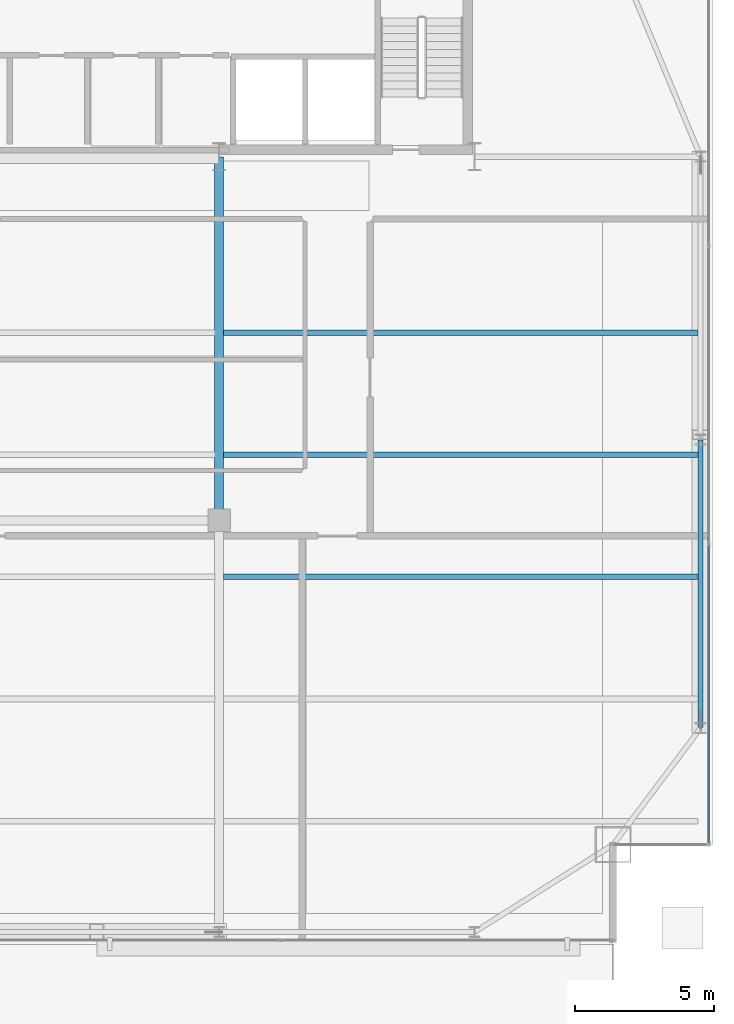
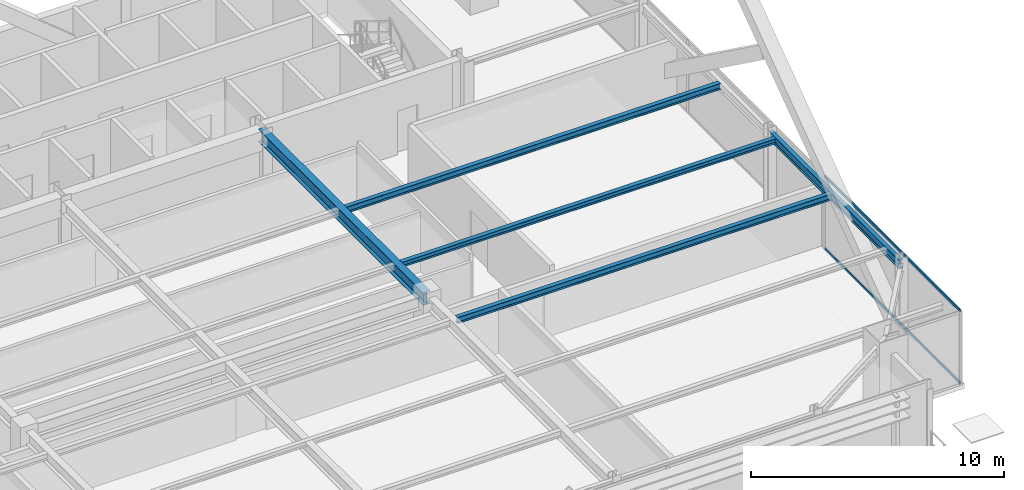
# One storey, part 16 of 33: 5 beams, 2 members, 1 element without a shape of its own.
"""IFC4 building model written with IfcOpenShell, lengths in metres."""

from ifc_helpers import new_model, si_unit, direction, frame, origin, origin_2d, place, context, subcontext, project, spatial, hollow_rectangle, i_section, extrude, source, transform, mapped, material, layer, layer_set, material_profile, profile_set, type_object, type_shapes, element, aggregate, save


model = new_model("IFC4")

# Units and contexts
model_context = context("Model", 3, precision=1e-05, world=origin(), true_north=direction((0.0, 1.0)))
body_context = subcontext(model_context, "Body", "Model", "MODEL_VIEW")
ifc_project = project(units=[si_unit("LENGTHUNIT", "METRE"), si_unit("AREAUNIT", "SQUARE_METRE"), si_unit("VOLUMEUNIT", "CUBIC_METRE"), si_unit("PLANEANGLEUNIT", "RADIAN"), si_unit("MASSUNIT", "GRAM", prefix="KILO")], contexts=[model_context])

# Site, building, storey
site_placement = place(None, origin())
site = spatial("IfcSite", under=ifc_project, at=site_placement, CompositionType="ELEMENT")
building_placement = place(site_placement, origin())
building = spatial("IfcBuilding", under=site, at=building_placement, Name="Varnel Quay Broadcast Tower", CompositionType="ELEMENT")
storey_placement = place(building_placement, frame((0.0, 0.0, 145.800048828125)))
storey = spatial("IfcBuildingStorey", under=building, at=storey_placement, Name="L35", CompositionType="ELEMENT", Elevation=145.800048828125)

# Beams
ifc_material_1 = material(Name="Structural Steel CSA G40.21 350W", Category="steel")
ifc_material_profile_1 = material_profile(ifc_material_1, i_section(OverallWidth=0.180908203125, OverallDepth=0.4169921875, WebThickness=0.010986328125, FlangeThickness=0.018310546875, FilletRadius=0.011962890625, at=origin_2d()), Name="W410X85")
ifc_profile_set_1 = profile_set([ifc_material_profile_1], Name="Structural Steel CSA G40.21 350W")
beam_type_1 = type_object("IfcBeamType", Name="Beam_W410X85", PredefinedType="SPANDREL", material=ifc_profile_set_1)
shared_shape_1 = source(origin(), body_context, "Body", "SweptSolid", [
    extrude(i_section(OverallWidth=0.180908203125, OverallDepth=0.4169921875, WebThickness=0.010986328125, FlangeThickness=0.018310546875, FilletRadius=0.011962890625, at=origin_2d()), origin(), (0.0, 0.0, 1.0), 10.35986328125),
])
type_shapes(beam_type_1, [shared_shape_1])
beam_1_placement = place(storey_placement, frame((60.550048828125, 15.02001953125, 3.341552734375), z_axis=(0.0, 1.0, 0.0), x_axis=(-1.0, 0.0, 0.0)))
element("IfcBeam", 1, at=beam_1_placement, inside=storey, type_object=beam_type_1, Name="L35 East Spandrel TC-E1-TC-E2", PredefinedType="SPANDREL", context=body_context, shape_type="MappedRepresentation", body=[
    mapped(shared_shape_1, transform((0.0, 0.0, 0.0), x_axis=(1.0, 0.0, 0.0), y_axis=(0.0, 1.0, 0.0), z_axis=(0.0, 0.0, 1.0), scale=1.0)),
])
ifc_material_profile_2 = material_profile(ifc_material_1, i_section(OverallWidth=0.324951171875, OverallDepth=0.615966796875, WebThickness=0.013916015625, FlangeThickness=0.021484375, FilletRadius=0.01611328125, at=origin_2d()), Name="W610X174")
ifc_profile_set_2 = profile_set([ifc_material_profile_2], Name="Structural Steel CSA G40.21 350W")
beam_type_2 = type_object("IfcBeamType", Name="Girder_W610X174", PredefinedType="BEAM", material=ifc_profile_set_2)
shared_shape_2 = source(origin(), body_context, "Body", "SweptSolid", [
    extrude(i_section(OverallWidth=0.324951171875, OverallDepth=0.615966796875, WebThickness=0.013916015625, FlangeThickness=0.021484375, FilletRadius=0.01611328125, at=origin_2d()), origin(), (0.0, 0.0, 1.0), 13.070068359375),
])
type_shapes(beam_type_2, [shared_shape_2])
beam_2_placement = place(storey_placement, frame((43.199951171875, 22.510009765625, 3.241943359375), z_axis=(0.0, 1.0, 0.0), x_axis=(-1.0, 0.0, 0.0)))
element("IfcBeam", 2, at=beam_2_placement, inside=storey, type_object=beam_type_2, Name="L35 Primary Girder IC-02-CC-S4", PredefinedType="BEAM", context=body_context, shape_type="MappedRepresentation", body=[
    mapped(shared_shape_2, transform((0.0, 0.0, 0.0), x_axis=(1.0, 0.0, 0.0), y_axis=(0.0, 1.0, 0.0), z_axis=(0.0, 0.0, 1.0), scale=1.0)),
])
ifc_material_profile_3 = material_profile(ifc_material_1, i_section(OverallWidth=0.202880859375, OverallDepth=0.302978515625, WebThickness=0.007568359375, FlangeThickness=0.01318359375, FilletRadius=0.011962890625, at=origin_2d()), Name="W310X60")
ifc_profile_set_3 = profile_set([ifc_material_profile_3], Name="Structural Steel CSA G40.21 350W")
beam_type_3 = type_object("IfcBeamType", Name="Beam_W310X60", PredefinedType="JOIST", material=ifc_profile_set_3)
shared_shape_3 = source(origin(), body_context, "Body", "SweptSolid", [
    extrude(i_section(OverallWidth=0.202880859375, OverallDepth=0.302978515625, WebThickness=0.007568359375, FlangeThickness=0.01318359375, FilletRadius=0.011962890625, at=origin_2d()), origin(), (0.0, 0.0, 1.0), 17.107177734375),
])
type_shapes(beam_type_3, [shared_shape_3])
for number, where, z_axis, x_axis, name in (
    (3, (43.357421875, 20.449951171875, 3.3984375), (1.0, 0.0, 0.0), (0.0, 1.0, 0.0), "L35 East Floor Joist 3"),
    (4, (43.357421875, 29.25, 3.3984375), (1.0, 0.0, 0.0), (0.0, 1.0, 0.0), "L35 East Floor Joist 5"),
):
    element("IfcBeam", number, at=place(storey_placement, frame(where, z_axis=z_axis, x_axis=x_axis)), inside=storey, type_object=beam_type_3, Name=name, PredefinedType="JOIST", context=body_context, shape_type="MappedRepresentation", body=[
        mapped(shared_shape_3, transform((0.0, 0.0, 0.0), x_axis=(1.0, 0.0, 0.0), y_axis=(0.0, 1.0, 0.0), z_axis=(0.0, 0.0, 1.0), scale=1.0)),
    ])
ifc_material_profile_4 = material_profile(ifc_material_1, i_section(OverallWidth=0.201904296875, OverallDepth=0.2470703125, WebThickness=0.00732421875, FlangeThickness=0.010986328125, FilletRadius=0.010986328125, at=origin_2d()), Name="W250X49")
ifc_profile_set_4 = profile_set([ifc_material_profile_4], Name="Structural Steel CSA G40.21 350W")
beam_type_4 = type_object("IfcBeamType", Name="Beam_W250X49", PredefinedType="JOIST", material=ifc_profile_set_4)
shared_shape_4 = source(origin(), body_context, "Body", "SweptSolid", [
    extrude(i_section(OverallWidth=0.201904296875, OverallDepth=0.2470703125, WebThickness=0.00732421875, FlangeThickness=0.010986328125, FilletRadius=0.010986328125, at=origin_2d()), origin(), (0.0, 0.0, 1.0), 17.107177734375),
])
type_shapes(beam_type_4, [shared_shape_4])
beam_3_placement = place(storey_placement, frame((43.357421875, 24.85009765625, 3.426513671875), z_axis=(1.0, 0.0, 0.0), x_axis=(0.0, 1.0, 0.0)))
element("IfcBeam", 5, at=beam_3_placement, inside=storey, type_object=beam_type_4, Name="L35 East Floor Joist 4", PredefinedType="JOIST", context=body_context, shape_type="MappedRepresentation", body=[
    mapped(shared_shape_4, transform((0.0, 0.0, 0.0), x_axis=(1.0, 0.0, 0.0), y_axis=(0.0, 1.0, 0.0), z_axis=(0.0, 0.0, 1.0), scale=1.0)),
])

# Curtain wall, members
ifc_material_2 = material(Name="Anodised Bronze Aluminium 6063-T6", Category="aluminium")
ifc_layer = layer(ifc_material_2, 0.18994140625, Name="Anodised Bronze Aluminium 6063-T6")
ifc_layer_set = layer_set([ifc_layer], Name="Anodised Bronze Aluminium 6063-T6")
curtain_wall_type = type_object("IfcCurtainWallType", Name="CW_UpperTower", PredefinedType="NOTDEFINED", material=ifc_layer_set)
curtain_wall_placement = place(storey_placement, origin())
curtain_wall = element("IfcCurtainWall", 6, at=curtain_wall_placement, inside=storey, type_object=curtain_wall_type, Name="L35 East Unitised Curtain Wall", PredefinedType="NOTDEFINED")
ifc_material_profile_5 = material_profile(ifc_material_2, hollow_rectangle(XDim=0.06005859375, YDim=0.125, WallThickness=0.0029296875, at=origin_2d()), Name="ALU60X125X3")
ifc_profile_set_5 = profile_set([ifc_material_profile_5], Name="Anodised Bronze Aluminium 6063-T6")
member_type = type_object("IfcMemberType", Name="Tran_CWS-03", PredefinedType="USERDEFINED", material=ifc_profile_set_5)
shared_shape_5 = source(origin(), body_context, "Body", "SweptSolid", [
    extrude(hollow_rectangle(XDim=0.06005859375, YDim=0.125, WallThickness=0.0029296875, at=origin_2d()), origin(), (0.0, 0.0, 1.0), 10.702392578125),
])
type_shapes(member_type, [shared_shape_5])
member_1_placement = place(storey_placement, frame((60.85009765625, 10.864990234375, 0.030029296875), z_axis=(0.0, 1.0, 0.0), x_axis=(-1.0, 0.0, 0.0)))
member_1 = element("IfcMember", 7, at=member_1_placement, type_object=member_type, Name="CWS-03 transom 1.1", ObjectType="TRANSOM", PredefinedType="USERDEFINED", context=body_context, shape_type="MappedRepresentation", body=[
    mapped(shared_shape_5, transform((0.0, 0.0, 0.0), x_axis=(1.0, 0.0, 0.0), y_axis=(0.0, 1.0, 0.0), z_axis=(0.0, 0.0, 1.0), scale=1.0)),
])
member_2_placement = place(storey_placement, frame((60.85009765625, 10.864990234375, 3.52001953125), z_axis=(0.0, 1.0, 0.0), x_axis=(-1.0, 0.0, 0.0)))
member_2 = element("IfcMember", 8, at=member_2_placement, type_object=member_type, Name="CWS-03 transom 1.2", ObjectType="TRANSOM", PredefinedType="USERDEFINED", context=body_context, shape_type="MappedRepresentation", body=[
    mapped(shared_shape_5, transform((0.0, 0.0, 0.0), x_axis=(1.0, 0.0, 0.0), y_axis=(0.0, 1.0, 0.0), z_axis=(0.0, 0.0, 1.0), scale=1.0)),
])
aggregate(curtain_wall, [member_1, member_2])

save(model, "model.ifc")
